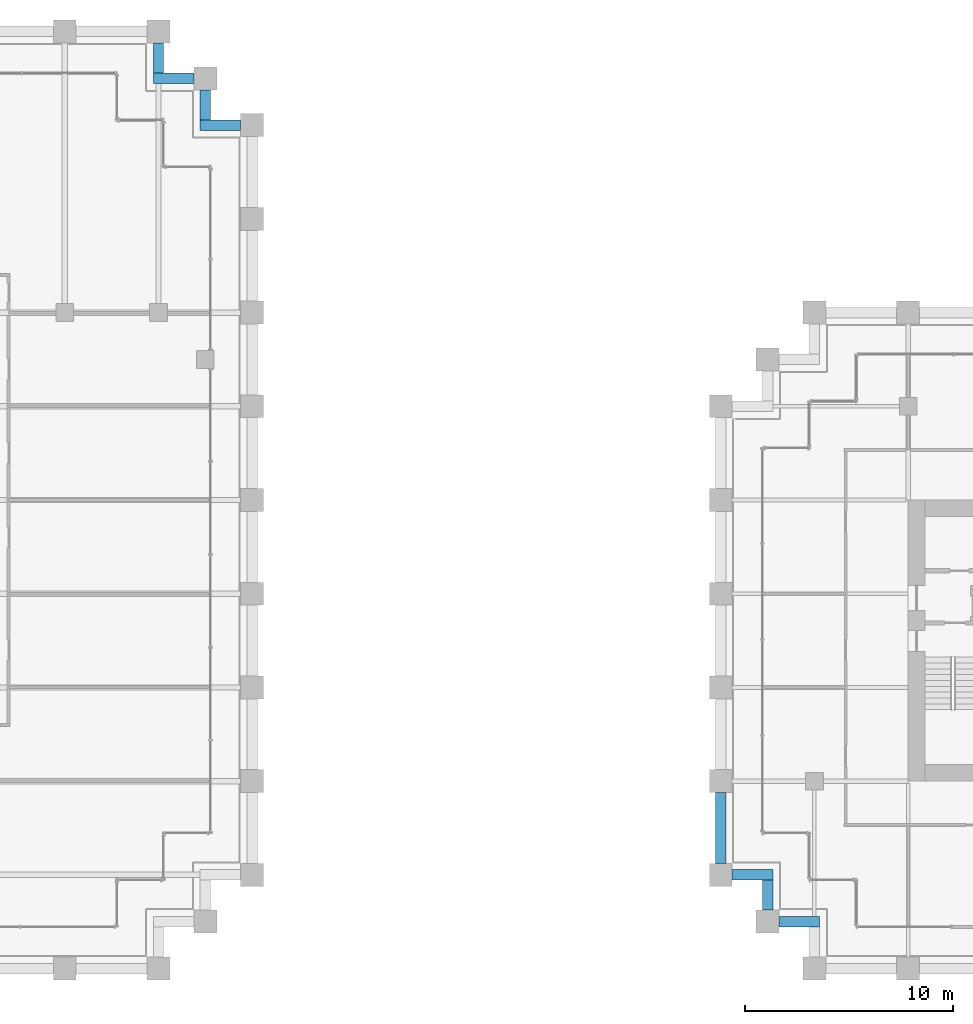
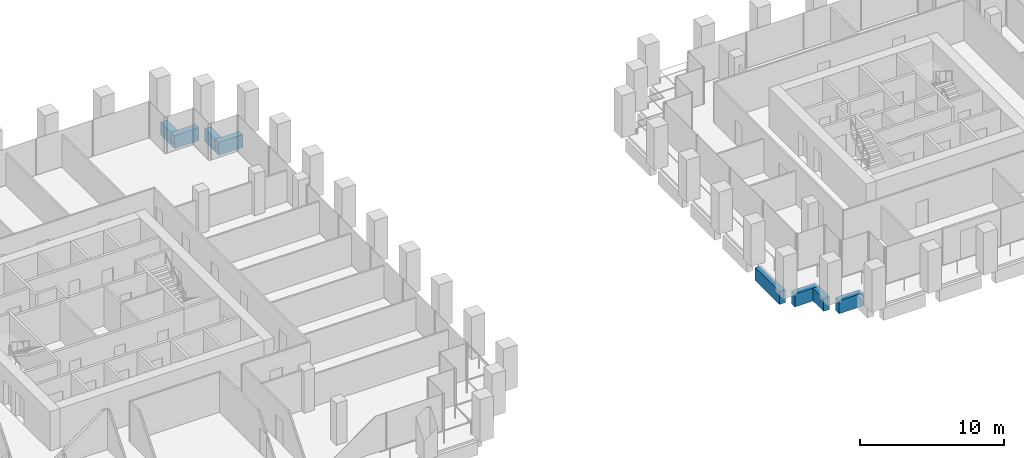
# One storey, part 33 of 56: 8 beams.
"""IFC4 building model written with IfcOpenShell, lengths in metres."""

from ifc_helpers import new_model, si_unit, direction, frame, origin, origin_2d, place, context, subcontext, project, spatial, rectangle, extrude, material, material_profile, profile_set, type_object, element, save


model = new_model("IFC4")

# Units and contexts
model_context = context("Model", 3, precision=1e-05, world=origin(), true_north=direction((0.0, 1.0)))
body_context = subcontext(model_context, "Body", "Model", "MODEL_VIEW")
ifc_project = project(units=[si_unit("LENGTHUNIT", "METRE"), si_unit("AREAUNIT", "SQUARE_METRE"), si_unit("VOLUMEUNIT", "CUBIC_METRE"), si_unit("PLANEANGLEUNIT", "RADIAN"), si_unit("MASSUNIT", "GRAM", prefix="KILO")], contexts=[model_context])

# Site, building, storey
site_placement = place(None, origin())
site = spatial("IfcSite", under=ifc_project, at=site_placement, CompositionType="ELEMENT")
building_placement = place(site_placement, origin())
building = spatial("IfcBuilding", under=site, at=building_placement, Name="Altepetl Exchange Towers", CompositionType="ELEMENT")
storey_placement = place(building_placement, frame((0.0, 0.0, 76.199951171875)))
storey = spatial("IfcBuildingStorey", under=building, at=storey_placement, Name="L18", CompositionType="ELEMENT", Elevation=76.199951171875)

# Beams
ifc_material_1 = material(Name="Concrete C50/60 precast with cantera rosa facing", Category="concrete")
ifc_material_profile_1 = material_profile(ifc_material_1, rectangle(XDim=0.5, YDim=1.10009765625, at=origin_2d()), Name="500 x 1100")
ifc_profile_set_1 = profile_set([ifc_material_profile_1], Name="Concrete C50/60 precast with cantera rosa facing")
beam_type_1 = type_object("IfcBeamType", Name="Spandrel beam 500x1100 cantera rosa", PredefinedType="SPANDREL", material=ifc_profile_set_1)
beam_1_placement = place(storey_placement, frame((71.449951171875, 67.5, -0.699951171875), z_axis=(-1.0, 0.0, 0.0), x_axis=(0.0, -1.0, 0.0)))
element("IfcBeam", 1, at=beam_1_placement, inside=storey, type_object=beam_type_1, Name="sp:A:L18:020", PredefinedType="SPANDREL", context=body_context, shape_type="SweptSolid", body=[
    extrude(rectangle(XDim=0.5, YDim=1.10009765625, at=origin_2d()), origin(), (0.0, 0.0, 1.0), 1.949951171875),
])
beam_2_placement = place(storey_placement, frame((69.75, 67.75, -0.699951171875), z_axis=(0.0, 1.0, 0.0), x_axis=(-1.0, 0.0, 0.0)))
element("IfcBeam", 2, at=beam_2_placement, inside=storey, type_object=beam_type_1, Name="sp:A:L18:021", PredefinedType="SPANDREL", context=body_context, shape_type="SweptSolid", body=[
    extrude(rectangle(XDim=0.5, YDim=1.10009765625, at=origin_2d()), origin(), (0.0, 0.0, 1.0), 1.449951171875),
])
beam_3_placement = place(storey_placement, frame((69.199951171875, 69.75, -0.699951171875), z_axis=(-1.0, 0.0, 0.0), x_axis=(0.0, -1.0, 0.0)))
element("IfcBeam", 3, at=beam_3_placement, inside=storey, type_object=beam_type_1, Name="sp:A:L18:022", PredefinedType="SPANDREL", context=body_context, shape_type="SweptSolid", body=[
    extrude(rectangle(XDim=0.5, YDim=1.10009765625, at=origin_2d()), origin(), (0.0, 0.0, 1.0), 1.949951171875),
])
beam_4_placement = place(storey_placement, frame((67.5, 70.0, -0.699951171875), z_axis=(0.0, 1.0, 0.0), x_axis=(-1.0, 0.0, 0.0)))
element("IfcBeam", 4, at=beam_4_placement, inside=storey, type_object=beam_type_1, Name="sp:A:L18:023", PredefinedType="SPANDREL", context=body_context, shape_type="SweptSolid", body=[
    extrude(rectangle(XDim=0.5, YDim=1.10009765625, at=origin_2d()), origin(), (0.0, 0.0, 1.0), 1.449951171875),
])
ifc_material_2 = material(Name="Concrete C50/60 precast with tezontle facing", Category="concrete")
ifc_material_profile_2 = material_profile(ifc_material_2, rectangle(XDim=0.5, YDim=1.10009765625, at=origin_2d()), Name="500 x 1100")
ifc_profile_set_2 = profile_set([ifc_material_profile_2], Name="Concrete C50/60 precast with tezontle facing")
beam_type_2 = type_object("IfcBeamType", Name="Spandrel beam 500x1100 tezontle", PredefinedType="SPANDREL", material=ifc_profile_set_2)
beam_5_placement = place(storey_placement, frame((94.5, 35.449951171875, -0.699951171875), z_axis=(0.0, -1.0, 0.0), x_axis=(1.0, 0.0, 0.0)))
element("IfcBeam", 5, at=beam_5_placement, inside=storey, type_object=beam_type_2, Name="sp:B:L18:031", PredefinedType="SPANDREL", context=body_context, shape_type="SweptSolid", body=[
    extrude(rectangle(XDim=0.5, YDim=1.10009765625, at=origin_2d()), origin(), (0.0, 0.0, 1.0), 3.39990234375),
])
beam_6_placement = place(storey_placement, frame((95.050048828125, 31.5, -0.699951171875), z_axis=(1.0, 0.0, 0.0), x_axis=(0.0, 1.0, 0.0)))
element("IfcBeam", 6, at=beam_6_placement, inside=storey, type_object=beam_type_2, Name="sp:B:L18:032", PredefinedType="SPANDREL", context=body_context, shape_type="SweptSolid", body=[
    extrude(rectangle(XDim=0.5, YDim=1.10009765625, at=origin_2d()), origin(), (0.0, 0.0, 1.0), 1.949951171875),
])
beam_7_placement = place(storey_placement, frame((96.75, 31.25, -0.699951171875), z_axis=(0.0, -1.0, 0.0), x_axis=(1.0, 0.0, 0.0)))
element("IfcBeam", 7, at=beam_7_placement, inside=storey, type_object=beam_type_2, Name="sp:B:L18:033", PredefinedType="SPANDREL", context=body_context, shape_type="SweptSolid", body=[
    extrude(rectangle(XDim=0.5, YDim=1.10009765625, at=origin_2d()), origin(), (0.0, 0.0, 1.0), 1.449951171875),
])
beam_8_placement = place(storey_placement, frame((97.300048828125, 29.25, -0.699951171875), z_axis=(1.0, 0.0, 0.0), x_axis=(0.0, 1.0, 0.0)))
element("IfcBeam", 8, at=beam_8_placement, inside=storey, type_object=beam_type_2, Name="sp:B:L18:034", PredefinedType="SPANDREL", context=body_context, shape_type="SweptSolid", body=[
    extrude(rectangle(XDim=0.5, YDim=1.10009765625, at=origin_2d()), origin(), (0.0, 0.0, 1.0), 1.949951171875),
])

save(model, "model.ifc")
